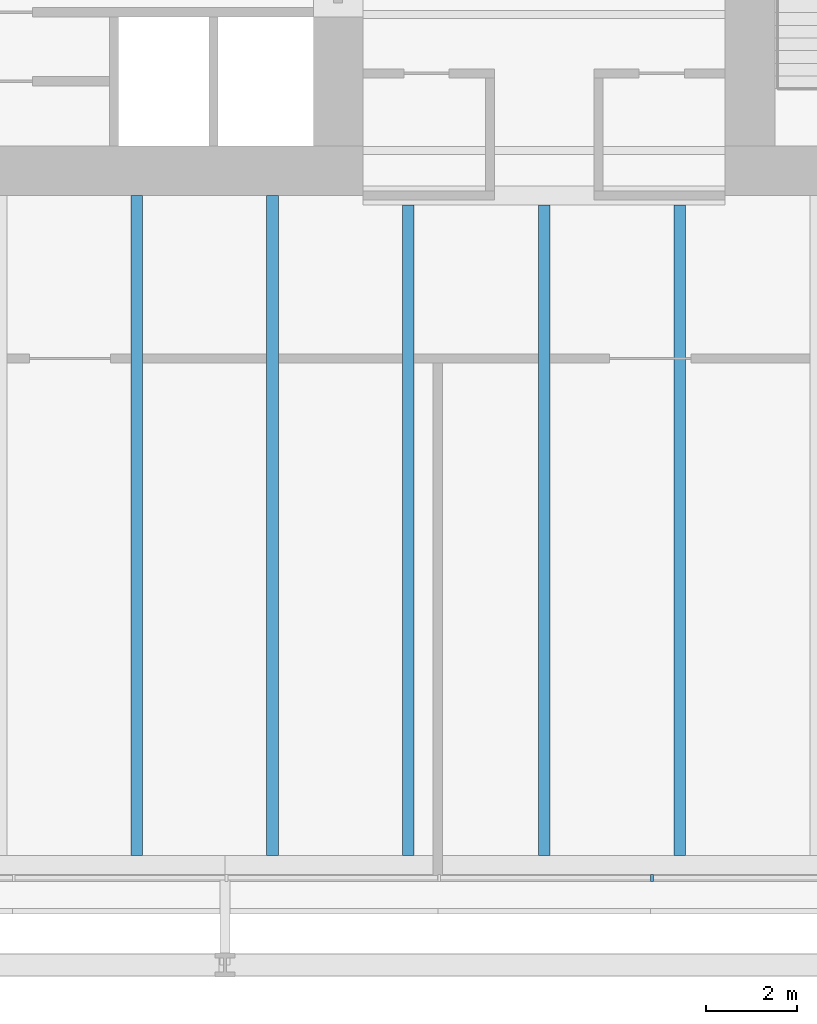
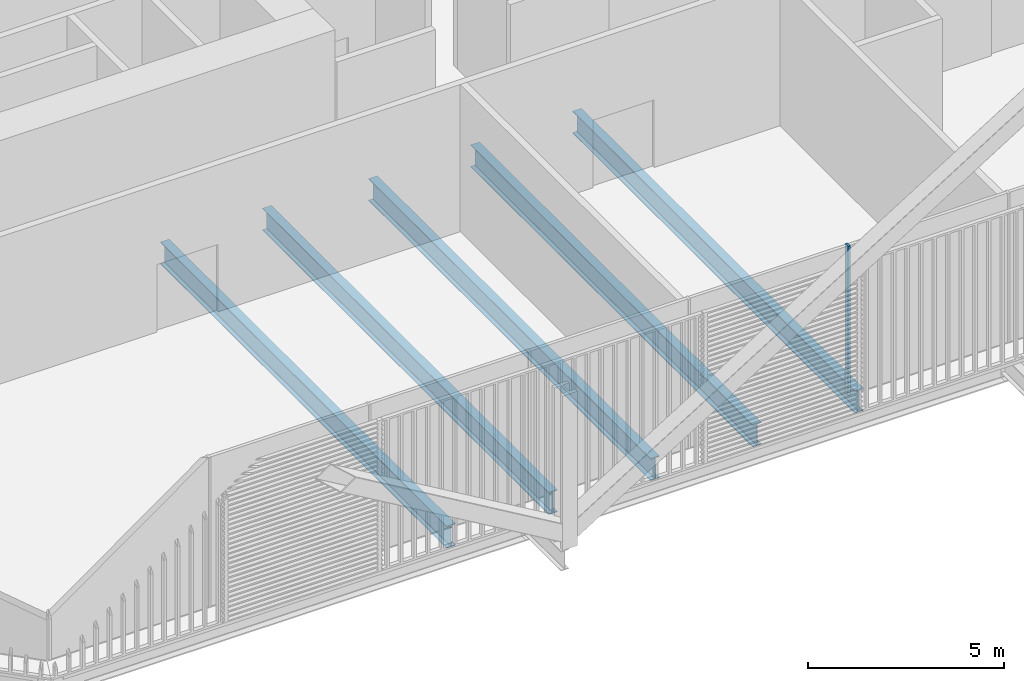
# One storey, part 4 of 22: 5 beams, 1 member, 1 element without a shape of its own.
"""IFC4 building model written with IfcOpenShell, lengths in metres."""

import ifcopenshell
import ifcopenshell.guid

model = None  # the IFC model being written
_history = None  # IfcOwnerHistory: only IFC2X3 demands one
_inside = {}  # id of a spatial element -> (the spatial element, [elements in it])
_under = {}  # id of a project, library or spatial element -> (it, [spatial elements below it])
_declared = {}  # id of a project -> (the project, [libraries it declares])
_typed = {}  # id of a type object -> (the type object, [elements of that type])
_made_of = {}  # id of a material, layer set ... -> (it, [elements and type objects made of it])


def new_model(schema):
    """Start an empty IFC model of exactly this schema.

    Asked for "IFC4X3", IfcOpenShell would pick the latest addendum, in which some entities
    have other attributes; the version numbers below select the first issue.
    IFC2X3 requires an IfcOwnerHistory on every rooted entity: one is made here for all.
    """
    global model, _history
    if schema == "IFC4X3":
        model = ifcopenshell.file(schema_version=(4, 3, 0, 0))
    else:
        model = ifcopenshell.file(schema=schema)
    _inside.clear()
    _under.clear()
    _declared.clear()
    _typed.clear()
    _made_of.clear()
    _history = None
    if model.schema == "IFC2X3":
        org = make("IfcOrganization", Name="unknown")
        user = make(
            "IfcPersonAndOrganization",
            ThePerson=make("IfcPerson", FamilyName="unknown"),
            TheOrganization=org,
        )
        app = make(
            "IfcApplication",
            ApplicationDeveloper=org,
            Version="unknown",
            ApplicationFullName="unknown",
            ApplicationIdentifier="unknown",
        )
        _history = make(
            "IfcOwnerHistory",
            OwningUser=user,
            OwningApplication=app,
            ChangeAction="ADDED",
            CreationDate=0,
        )
    return model


def make(cls, **values):
    """One entity of the class cls with the attributes given. An attribute that is None is left unset."""
    return model.create_entity(
        cls, **{name: value for name, value in values.items() if value is not None}
    )


def rooted(cls, **values):
    """An entity with a GlobalId (a new one), such as an element, a storey or a relation."""
    return make(cls, GlobalId=ifcopenshell.guid.new(), OwnerHistory=_history, **values)


def si_unit(unit_type, name, prefix=None):
    """IfcSIUnit, for example si_unit("LENGTHUNIT", "METRE", prefix="MILLI")."""
    return make("IfcSIUnit", UnitType=unit_type, Prefix=prefix, Name=name)


def assignment(units):
    """IfcUnitAssignment: the units of a project."""
    return None if units is None else make("IfcUnitAssignment", Units=units)


def point(xyz):
    """IfcCartesianPoint."""
    return None if xyz is None else make("IfcCartesianPoint", Coordinates=xyz)


def direction(xyz):
    """IfcDirection."""
    return None if xyz is None else make("IfcDirection", DirectionRatios=xyz)


def frame(location, z_axis=None, x_axis=None):
    """IfcAxis2Placement3D, a coordinate frame: its origin and axes. An axis left out is left unset."""
    return make(
        "IfcAxis2Placement3D",
        Location=point(location),
        Axis=direction(z_axis),
        RefDirection=direction(x_axis),
    )


def frame_2d(location, x_axis=None):
    """IfcAxis2Placement2D, a coordinate frame in the plane: its origin and x axis."""
    return make(
        "IfcAxis2Placement2D", Location=point(location), RefDirection=direction(x_axis)
    )


def origin():
    """The frame at (0, 0, 0) with its axes left unset."""
    return frame((0.0, 0.0, 0.0))


def origin_2d():
    """The frame at (0, 0) in the plane with its x axis left unset."""
    return frame_2d((0.0, 0.0))


def place(relative_to, where):
    """IfcLocalPlacement: puts the frame where relative to a parent placement (None: the world)."""
    return make(
        "IfcLocalPlacement", PlacementRelTo=relative_to, RelativePlacement=where
    )


def context(
    kind, dimensions, precision=None, world=None, true_north=None, identifier=None
):
    """IfcGeometricRepresentationContext, for example the 3D "Model" context."""
    return make(
        "IfcGeometricRepresentationContext",
        ContextIdentifier=identifier,
        ContextType=kind,
        CoordinateSpaceDimension=dimensions,
        Precision=precision,
        WorldCoordinateSystem=world,
        TrueNorth=true_north,
    )


def subcontext(parent, identifier, kind, view, scale=None):
    """IfcGeometricRepresentationSubContext, for example "Body" below "Model"."""
    return make(
        "IfcGeometricRepresentationSubContext",
        ContextIdentifier=identifier,
        ContextType=kind,
        ParentContext=parent,
        TargetScale=scale,
        TargetView=view,
    )


def project(units=None, contexts=None):
    """IfcProject with its units and contexts."""
    return rooted(
        "IfcProject",
        Name="project",
        RepresentationContexts=contexts,
        UnitsInContext=assignment(units),
    )


def spatial(cls, under=None, at=None, **own):
    """A site, building, storey or space (cls), placed at a placement, below another one or the project."""
    s = rooted(cls, ObjectPlacement=at, **own)
    if under is not None:
        _under.setdefault(under.id(), (under, []))[1].append(s)
    return s


def profile(cls, at=None, kind="AREA", **sizes):
    """A parametric profile (cls). Its sizes go by their IFC names, for example OverallWidth=200.0."""
    return make(cls, ProfileType=kind, Position=at, **sizes)


def rectangle(**sizes):
    """IfcRectangleProfileDef."""
    return profile("IfcRectangleProfileDef", **sizes)


def i_section(**sizes):
    """IfcIShapeProfileDef."""
    return profile("IfcIShapeProfileDef", **sizes)


def extrude(swept, where, along, depth):
    """IfcExtrudedAreaSolid: the profile swept, set in the frame where, extruded along a direction by depth."""
    return make(
        "IfcExtrudedAreaSolid",
        SweptArea=swept,
        Position=where,
        ExtrudedDirection=direction(along),
        Depth=depth,
    )


def shape(context_of_items, identifier, shape_type, items):
    """IfcShapeRepresentation: the items that make up one representation, for example the "Body"."""
    return make(
        "IfcShapeRepresentation",
        ContextOfItems=context_of_items,
        RepresentationIdentifier=identifier,
        RepresentationType=shape_type,
        Items=items,
    )


def material(Name=None, Category=None):
    """IfcMaterial."""
    return make("IfcMaterial", Name=Name, Category=Category)


def layer(
    of_material, thickness, ventilated=None, Name=None, Category=None, Priority=None
):
    """IfcMaterialLayer: one layer of a wall or slab, of a material (None: an air gap)."""
    return make(
        "IfcMaterialLayer",
        Material=of_material,
        LayerThickness=thickness,
        IsVentilated=ventilated,
        Name=Name,
        Category=Category,
        Priority=Priority,
    )


def layer_set(layers, Name=None):
    """IfcMaterialLayerSet."""
    return make("IfcMaterialLayerSet", MaterialLayers=layers, LayerSetName=Name)


def material_profile(
    of_material, cross_section, Name=None, Category=None, Priority=None
):
    """IfcMaterialProfile: a cross section and its material."""
    return make(
        "IfcMaterialProfile",
        Name=Name,
        Material=of_material,
        Profile=cross_section,
        Priority=Priority,
        Category=Category,
    )


def profile_set(profiles, Name=None, composite=None):
    """IfcMaterialProfileSet."""
    return make(
        "IfcMaterialProfileSet",
        Name=Name,
        MaterialProfiles=profiles,
        CompositeProfile=composite,
    )


def made_of(thing, what):
    """Note that an element or type object is made of a material, layer set ...; save() writes the relation."""
    if what is not None:
        _made_of.setdefault(what.id(), (what, []))[1].append(thing)
    return thing


def type_object(cls, material=None, **own):
    """A type object (cls), such as IfcWallType, which elements share."""
    return made_of(rooted(cls, **own), material)


def element(
    cls,
    number,
    at=None,
    inside=None,
    cuts=None,
    type_object=None,
    material=None,
    context=None,
    identifier="Body",
    shape_type=None,
    held_by="IfcProductDefinitionShape",
    body=None,
    shapes=None,
    **own,
):
    """One element of the class cls, such as IfcWall. Its Tag is "e" and its number.

    at: its placement. inside: the storey or other place that contains it. cuts: it is an
    opening in that element (IfcRelVoidsElement). A single representation is given by context,
    identifier, shape_type and body (its items); several are given by shapes. held_by: the class
    of the entity that holds the representations. save() writes the other relations.
    """
    e = rooted(cls, Tag="e%d" % number, ObjectPlacement=at, **own)
    if body is not None:
        shapes = [shape(context, identifier, shape_type, body)]
    if shapes is not None:
        e.Representation = make(held_by, Representations=shapes)
    if inside is not None:
        _inside.setdefault(inside.id(), (inside, []))[1].append(e)
    if cuts is not None:
        rooted(
            "IfcRelVoidsElement", RelatingBuildingElement=cuts, RelatedOpeningElement=e
        )
    if type_object is not None:
        _typed.setdefault(type_object.id(), (type_object, []))[1].append(e)
    return made_of(e, material)


def aggregate(whole, parts):
    """IfcRelAggregates: a whole, such as a stair, and the parts it consists of."""
    return rooted("IfcRelAggregates", RelatingObject=whole, RelatedObjects=parts)


def save(model, path):
    """Write the relations noted so far, then the file.

    IfcRelAggregates (storeys below a building ...), IfcRelContainedInSpatialStructure (elements
    in a storey), IfcRelDefinesByType, IfcRelAssociatesMaterial and IfcRelDeclares: one each for
    every whole, place, type object, material and project.
    """
    for whole, parts in _under.values():
        aggregate(whole, parts)
    for where, things in _inside.values():
        rooted(
            "IfcRelContainedInSpatialStructure",
            RelatedElements=things,
            RelatingStructure=where,
        )
    for kind, things in _typed.values():
        rooted("IfcRelDefinesByType", RelatedObjects=things, RelatingType=kind)
    for what, things in _made_of.values():
        rooted("IfcRelAssociatesMaterial", RelatedObjects=things, RelatingMaterial=what)
    for by, libraries in _declared.values():
        rooted("IfcRelDeclares", RelatingContext=by, RelatedDefinitions=libraries)
    model.write(path)


model = new_model("IFC4")

# Units and contexts
model_context = context("Model", 3, precision=1e-05, world=origin(), true_north=direction((0.0, 1.0)))
body_context = subcontext(model_context, "Body", "Model", "MODEL_VIEW")
ifc_project = project(units=[si_unit("LENGTHUNIT", "METRE"), si_unit("AREAUNIT", "SQUARE_METRE"), si_unit("VOLUMEUNIT", "CUBIC_METRE"), si_unit("PLANEANGLEUNIT", "RADIAN"), si_unit("MASSUNIT", "GRAM", prefix="KILO")], contexts=[model_context])

# Site, building, storey
site_placement = place(None, origin())
site = spatial("IfcSite", under=ifc_project, at=site_placement, CompositionType="ELEMENT")
building_placement = place(site_placement, origin())
building = spatial("IfcBuilding", under=site, at=building_placement, Name="Millrace Tower", CompositionType="ELEMENT")
storey_placement = place(building_placement, frame((0.0, 0.0, 35.300048828125)))
storey = spatial("IfcBuildingStorey", under=building, at=storey_placement, Name="L08", CompositionType="ELEMENT", Elevation=35.300048828125)

# Curtain wall, member
ifc_material_1 = material(Name="Aluminium and glass", Category="aluminium")
ifc_layer = layer(ifc_material_1, 0.14990234375)
ifc_layer_set = layer_set([ifc_layer], Name="Aluminium and glass")
curtain_wall_type = type_object("IfcCurtainWallType", Name="CW-2 data hall insulated curtain wall", PredefinedType="NOTDEFINED", material=ifc_layer_set)
curtain_wall_placement = place(storey_placement, origin())
curtain_wall = element("IfcCurtainWall", 1, at=curtain_wall_placement, inside=storey, type_object=curtain_wall_type, Name="Curtain wall A-F02 L08", PredefinedType="NOTDEFINED")
ifc_material_2 = material(Name="Aluminium", Category="aluminium")
ifc_material_profile_1 = material_profile(ifc_material_2, rectangle(XDim=0.06494140625, YDim=0.14990234375, at=origin_2d()))
ifc_profile_set_1 = profile_set([ifc_material_profile_1], Name="Aluminium")
member_type = type_object("IfcMemberType", Name="CW-2 data hall insulated curtain wall mullion", PredefinedType="MULLION", material=ifc_profile_set_1)
member_placement = place(storey_placement, frame((2.382568359375, -25.074951171875, 0.159912109375), z_axis=(0.0, 0.0, 1.0), x_axis=(1.0, 0.0, 0.0)))
member = element("IfcMember", 2, at=member_placement, type_object=member_type, Name="CW2 mullion A-F02.6", PredefinedType="MULLION", context=body_context, shape_type="SweptSolid", body=[
    extrude(rectangle(XDim=0.06494140625, YDim=0.14990234375, at=origin_2d()), origin(), (0.0, 0.0, 1.0), 4.64013671875),
])
aggregate(curtain_wall, [member])

# Beams
ifc_material_3 = material(Name="Steel ASTM A992 Grade 50", Category="steel")
ifc_material_profile_2 = material_profile(ifc_material_3, i_section(OverallWidth=0.256591796875, OverallDepth=0.693359375, WebThickness=0.014404296875, FlangeThickness=0.023681640625, FilletRadius=0.01513671875, at=origin_2d()))
ifc_profile_set_2 = profile_set([ifc_material_profile_2], Name="Steel ASTM A992 Grade 50")
beam_type = type_object("IfcBeamType", Name="Floor beam W27x114", PredefinedType="JOIST", material=ifc_profile_set_2)
for number, where, z_axis, x_axis, name in (
    (3, (-9.0, -24.578369140625, -0.57177734375), (0.0, 1.0, 0.0), (-1.0, 0.0, 0.0), "BM-A-L08-S1-S045"),
    (4, (-6.0, -24.578369140625, -0.57177734375), (0.0, 1.0, 0.0), (-1.0, 0.0, 0.0), "BM-A-L08-S1-S047"),
):
    element("IfcBeam", number, at=place(storey_placement, frame(where, z_axis=z_axis, x_axis=x_axis)), inside=storey, type_object=beam_type, Name=name, PredefinedType="JOIST", context=body_context, shape_type="SweptSolid", body=[
        extrude(i_section(OverallWidth=0.256591796875, OverallDepth=0.693359375, WebThickness=0.014404296875, FlangeThickness=0.023681640625, FilletRadius=0.01513671875, at=origin_2d()), origin(), (0.0, 0.0, 1.0), 14.578369140625),
    ])
for number, where, z_axis, x_axis, name in (
    (5, (-3.0, -24.578369140625, -0.57177734375), (0.0, 1.0, 0.0), (-1.0, 0.0, 0.0), "BM-A-L08-S1-S049"),
    (6, (0.0, -24.578369140625, -0.57177734375), (0.0, 1.0, 0.0), (-1.0, 0.0, 0.0), "BM-A-L08-S1-S051"),
    (7, (3.0, -24.578369140625, -0.57177734375), (0.0, 1.0, 0.0), (-1.0, 0.0, 0.0), "BM-A-L08-S1-S053"),
):
    element("IfcBeam", number, at=place(storey_placement, frame(where, z_axis=z_axis, x_axis=x_axis)), inside=storey, type_object=beam_type, Name=name, PredefinedType="JOIST", context=body_context, shape_type="SweptSolid", body=[
        extrude(i_section(OverallWidth=0.256591796875, OverallDepth=0.693359375, WebThickness=0.014404296875, FlangeThickness=0.023681640625, FilletRadius=0.01513671875, at=origin_2d()), origin(), (0.0, 0.0, 1.0), 14.3662109375),
    ])

save(model, "model.ifc")
